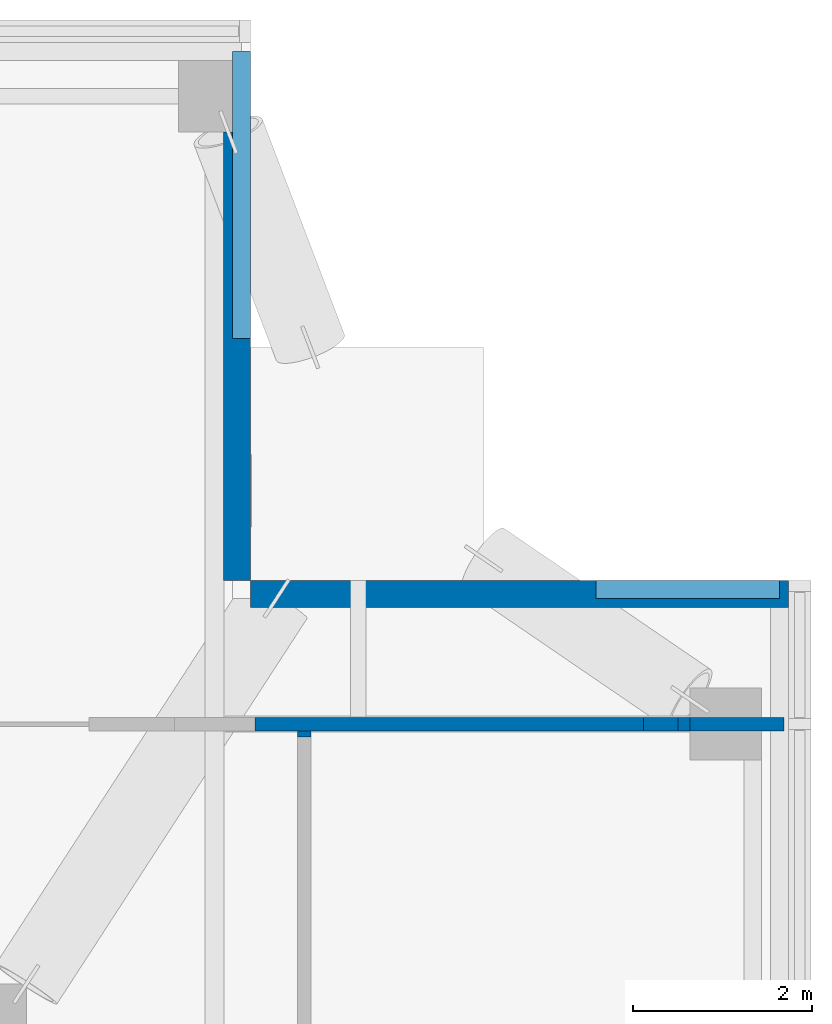
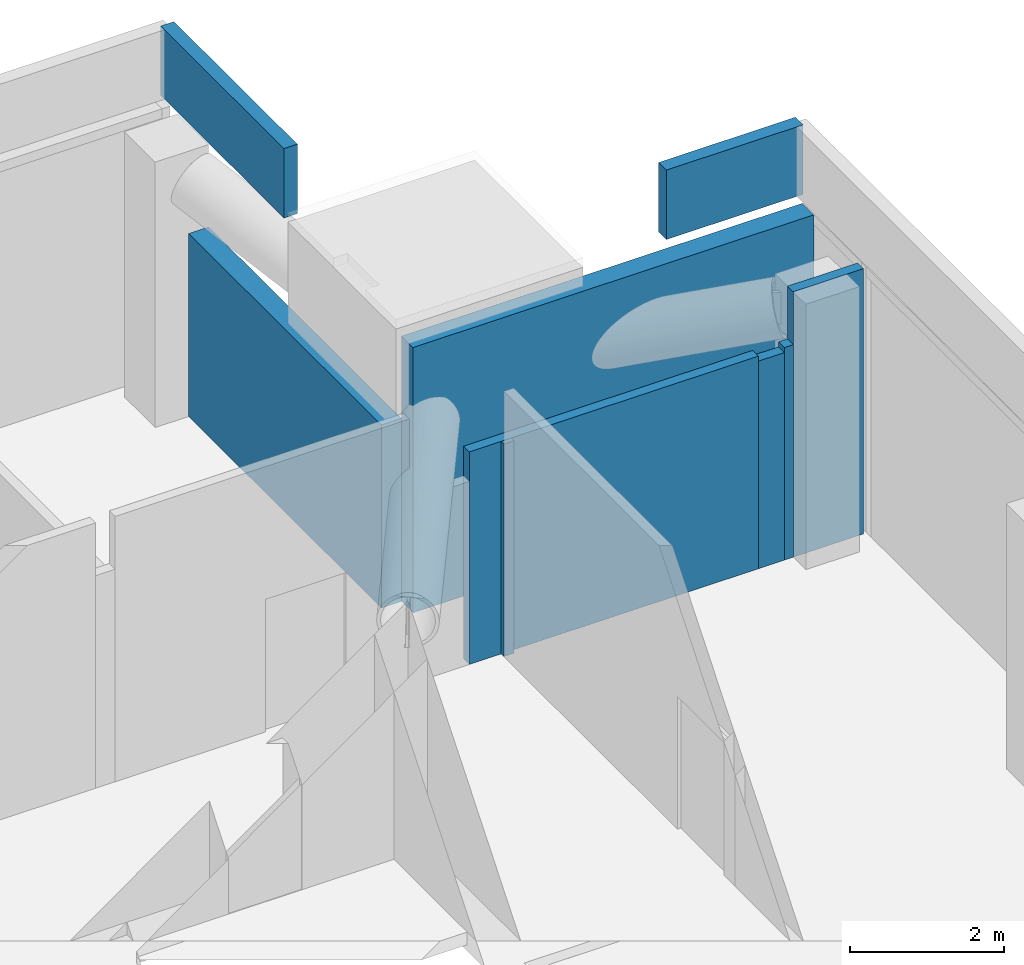
# One storey, part 7 of 11: 9 walls.
"""IFC4 building model written with IfcOpenShell, lengths in metres."""

from ifc_helpers import new_model, si_unit, direction, frame, frame_2d, origin, place, context, subcontext, project, spatial, rectangle, extrude, material, layer, layer_set, type_object, element, save


model = new_model("IFC4")

# Units and contexts
model_context = context("Model", 3, precision=1e-05, world=origin(), true_north=direction((0.0, 1.0)))
body_context = subcontext(model_context, "Body", "Model", "MODEL_VIEW")
ifc_project = project(units=[si_unit("LENGTHUNIT", "METRE"), si_unit("AREAUNIT", "SQUARE_METRE"), si_unit("VOLUMEUNIT", "CUBIC_METRE"), si_unit("PLANEANGLEUNIT", "RADIAN"), si_unit("MASSUNIT", "GRAM", prefix="KILO")], contexts=[model_context])

# Site, building, storey
site_placement = place(None, origin())
site = spatial("IfcSite", under=ifc_project, at=site_placement, CompositionType="ELEMENT")
building_placement = place(site_placement, origin())
building = spatial("IfcBuilding", under=site, at=building_placement, Name="Amberfall Residences", CompositionType="ELEMENT")
storey_placement = place(building_placement, frame((0.0, 0.0, 286.300048828125)))
storey = spatial("IfcBuildingStorey", under=building, at=storey_placement, Name="L77 Crown", CompositionType="ELEMENT", Elevation=286.300048828125)

# Walls
ifc_material_1 = material(Name="Bronze aluminium louvre cladding on insulated backing", Category="aluminium")
ifc_layer_1 = layer(ifc_material_1, 0.300048828125)
ifc_layer_set_1 = layer_set([ifc_layer_1], Name="Louvre clad wall 300")
wall_type_1 = type_object("IfcWallType", Name="Louvre clad wall 300", PredefinedType="SOLIDWALL", material=ifc_layer_set_1)
wall_1_placement = place(storey_placement, frame((95.0, 61.85009765625, 0.0), z_axis=(0.0, 0.0, 1.0), x_axis=(-1.0, 0.0, 0.0)))
element("IfcWall", 1, at=wall_1_placement, inside=storey, type_object=wall_type_1, Name="External wall L77 Crown NE", PredefinedType="SOLIDWALL", context=body_context, shape_type="SweptSolid", body=[
    extrude(rectangle(XDim=6.0, YDim=0.300048828125, at=frame_2d((3.0, 0.0))), origin(), (0.0, 0.0, 1.0), 4.199951171875),
])
wall_2_placement = place(storey_placement, frame((88.85009765625, 62.0, 0.0), z_axis=(0.0, 0.0, 1.0), x_axis=(0.0, 1.0, 0.0)))
element("IfcWall", 2, at=wall_2_placement, inside=storey, type_object=wall_type_1, Name="External wall L77 Crown NE", PredefinedType="SOLIDWALL", context=body_context, shape_type="SweptSolid", body=[
    extrude(rectangle(XDim=5.0, YDim=0.300048828125, at=frame_2d((2.5, 0.0))), origin(), (0.0, 0.0, 1.0), 2.89697265625),
])
ifc_material_2 = material(Name="Fire-rated gypsum board on steel studs", Category="steel")
ifc_layer_2 = layer(ifc_material_2, 0.14990234375)
ifc_layer_set_2 = layer_set([ifc_layer_2], Name="Partition 150 fire-rated")
wall_type_2 = type_object("IfcWallType", Name="Partition 150 fire-rated", PredefinedType="PARTITIONING", material=ifc_layer_set_2)
wall_3_placement = place(storey_placement, frame((89.050048828125, 60.39990234375, 0.0), z_axis=(0.0, 0.0, 1.0), x_axis=(1.0, 0.0, 0.0)))
element("IfcWall", 3, at=wall_3_placement, inside=storey, type_object=wall_type_2, Name="Partition 150 fire-rated L77 Crown 029", PredefinedType="PARTITIONING", context=body_context, shape_type="SweptSolid", body=[
    extrude(rectangle(XDim=4.329345703125, YDim=0.14990234375, at=frame_2d((2.16455078125, 0.0))), origin(), (0.0, 0.0, 1.0), 3.364990234375),
])
wall_4_placement = place(storey_placement, frame((93.37939453125, 60.39990234375, 0.0), z_axis=(0.0, 0.0, 1.0), x_axis=(1.0, 0.0, 0.0)))
element("IfcWall", 4, at=wall_4_placement, inside=storey, type_object=wall_type_2, Name="Partition 150 fire-rated L77 Crown 030", PredefinedType="PARTITIONING", context=body_context, shape_type="SweptSolid", body=[
    extrude(rectangle(XDim=0.38525390625, YDim=0.14990234375, at=frame_2d((0.192626953125, 0.0))), origin(), (0.0, 0.0, 1.0), 3.285888671875),
])
wall_5_placement = place(storey_placement, frame((93.7646484375, 60.39990234375, 0.0), z_axis=(0.0, 0.0, 1.0), x_axis=(1.0, 0.0, 0.0)))
element("IfcWall", 5, at=wall_5_placement, inside=storey, type_object=wall_type_2, Name="Partition 150 fire-rated L77 Crown 031", PredefinedType="PARTITIONING", context=body_context, shape_type="SweptSolid", body=[
    extrude(rectangle(XDim=0.13525390625, YDim=0.14990234375, at=frame_2d((0.067626953125, 0.0))), origin(), (0.0, 0.0, 1.0), 3.364990234375),
])
wall_6_placement = place(storey_placement, frame((93.89990234375, 60.39990234375, 0.0), z_axis=(0.0, 0.0, 1.0), x_axis=(1.0, 0.0, 0.0)))
element("IfcWall", 6, at=wall_6_placement, inside=storey, type_object=wall_type_2, Name="Partition 150 fire-rated L77 Crown 032", PredefinedType="PARTITIONING", context=body_context, shape_type="SweptSolid", body=[
    extrude(rectangle(XDim=1.050048828125, YDim=0.14990234375, at=frame_2d((0.52490234375, 0.0))), origin(), (0.0, 0.0, 1.0), 4.199951171875),
])
wall_7_placement = place(storey_placement, frame((89.60009765625, 60.254150390625, 0.0), z_axis=(0.0, 0.0, 1.0), x_axis=(0.0, 1.0, 0.0)))
element("IfcWall", 7, at=wall_7_placement, inside=storey, type_object=wall_type_2, Name="Partition 150 fire-rated L77 Crown 058", PredefinedType="PARTITIONING", context=body_context, shape_type="SweptSolid", body=[
    extrude(rectangle(XDim=0.07080078125, YDim=0.14990234375, at=frame_2d((0.035400390625, 0.0))), origin(), (0.0, 0.0, 1.0), 3.364990234375),
])
ifc_material_3 = material(Name="Reinforced concrete C50", Category="concrete")
ifc_layer_3 = layer(ifc_material_3, 0.199951171875)
ifc_layer_set_3 = layer_set([ifc_layer_3], Name="Roof parapet 200")
wall_type_3 = type_object("IfcWallType", Name="Roof parapet 200", PredefinedType="PARAPET", material=ifc_layer_set_3)
wall_8_placement = place(storey_placement, frame((88.89990234375, 67.89990234375, 4.5), z_axis=(0.0, 0.0, 1.0), x_axis=(0.0, -1.0, 0.0)))
element("IfcWall", 8, at=wall_8_placement, inside=storey, type_object=wall_type_3, Name="Roof parapet", PredefinedType="PARAPET", context=body_context, shape_type="SweptSolid", body=[
    extrude(rectangle(XDim=3.199951171875, YDim=0.199951171875, at=frame_2d((1.60009765625, 0.0))), origin(), (0.0, 0.0, 1.0), 1.099853515625),
])
wall_9_placement = place(storey_placement, frame((92.85009765625, 61.89990234375, 4.5), z_axis=(0.0, 0.0, 1.0), x_axis=(1.0, 0.0, 0.0)))
element("IfcWall", 9, at=wall_9_placement, inside=storey, type_object=wall_type_3, Name="Roof parapet", PredefinedType="PARAPET", context=body_context, shape_type="SweptSolid", body=[
    extrude(rectangle(XDim=2.0498046875, YDim=0.199951171875, at=frame_2d((1.02490234375, 0.0))), origin(), (0.0, 0.0, 1.0), 1.099853515625),
])

save(model, "model.ifc")
